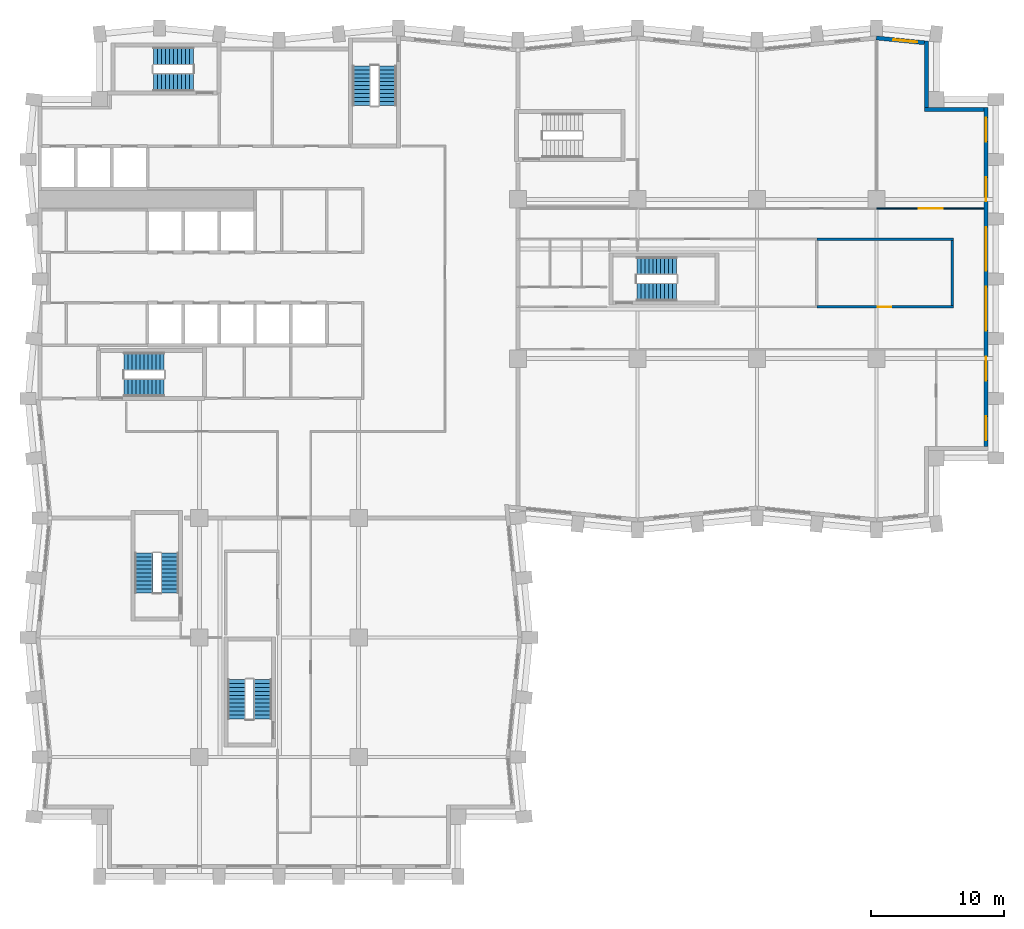
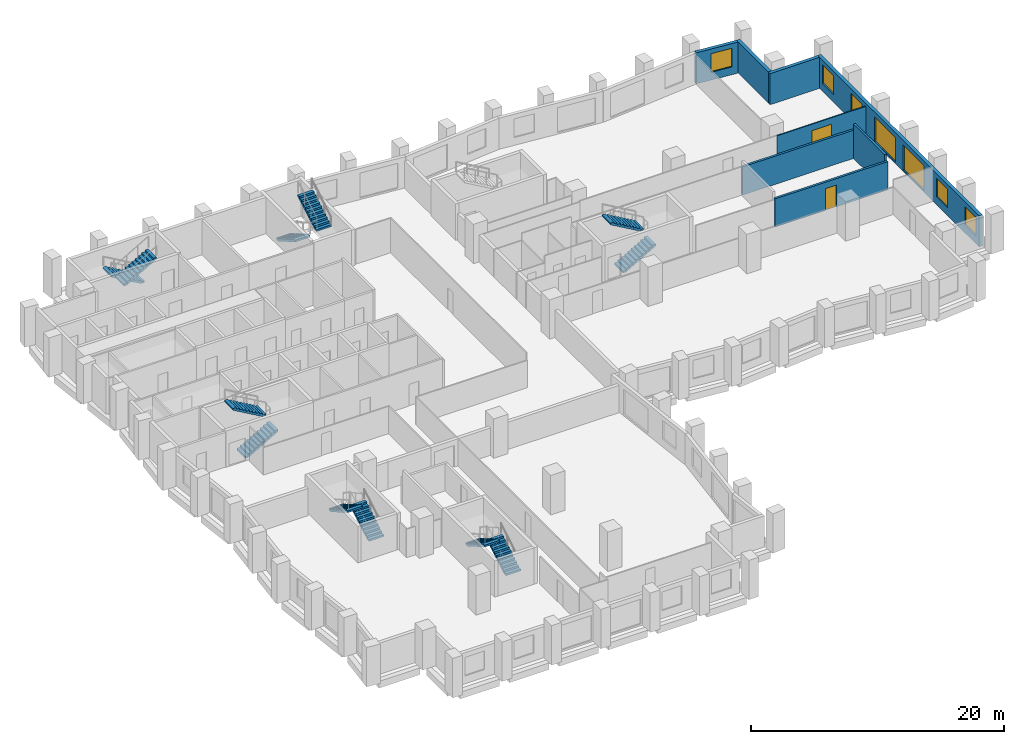
# One storey, part 8 of 11: 12 stair flights, 8 walls, 7 windows, 2 doors, 9 openings, 6 elements without a shape of their own.
"""IFC4 building model written with IfcOpenShell, lengths in metres."""

from ifc_helpers import new_model, si_unit, direction, frame, frame_2d, origin, place, context, subcontext, project, spatial, polyline, rectangle, outline, extrude, material, layer, layer_set, type_object, element, fill, aggregate, save


model = new_model("IFC4")

# Units and contexts
model_context = context("Model", 3, precision=1e-05, world=origin(), true_north=direction((0.0, 1.0)))
body_context = subcontext(model_context, "Body", "Model", "MODEL_VIEW")
ifc_project = project(units=[si_unit("LENGTHUNIT", "METRE"), si_unit("AREAUNIT", "SQUARE_METRE"), si_unit("VOLUMEUNIT", "CUBIC_METRE"), si_unit("PLANEANGLEUNIT", "RADIAN"), si_unit("MASSUNIT", "GRAM", prefix="KILO")], contexts=[model_context])

# Site, building, storey
site_placement = place(None, origin())
site = spatial("IfcSite", under=ifc_project, at=site_placement, CompositionType="ELEMENT")
building_placement = place(site_placement, origin())
building = spatial("IfcBuilding", under=site, at=building_placement, Name="Brondeck Convention Tower", CompositionType="ELEMENT")
storey_placement = place(building_placement, frame((0.0, 0.0, 134.10009765625)))
storey = spatial("IfcBuildingStorey", under=building, at=storey_placement, Name="L32", CompositionType="ELEMENT", Elevation=134.10009765625)

# Wall, openings, windows
ifc_material_1 = material(Name="Precast concrete C50/60 bronze finish", Category="concrete")
ifc_layer_1 = layer(ifc_material_1, 0.070068359375, Name="Bronze precast facing")
ifc_material_2 = material(Name="Mineral wool")
ifc_layer_2 = layer(ifc_material_2, 0.159912109375, Name="Insulation")
ifc_material_3 = material(Name="Concrete C35/45", Category="concrete")
ifc_layer_3 = layer(ifc_material_3, 0.070068359375, Name="Backing")
ifc_layer_set_1 = layer_set([ifc_layer_1, ifc_layer_2, ifc_layer_3], Name="External infill wall, precast concrete C50/60 bronze facing")
wall_type_1 = type_object("IfcWallType", Name="External infill wall, precast concrete C50/60 bronze facing", PredefinedType="SOLIDWALL", material=ifc_layer_set_1)
wall_1_placement = place(storey_placement, frame((71.25, 57.89990234375, 0.0), z_axis=(0.0, 0.0, 1.0), x_axis=(0.0, -1.0, 0.0)))
wall_1 = element("IfcWall", 1, at=wall_1_placement, inside=storey, type_object=wall_type_1, Name="ENV-EW-L32-P0-A-E72-01", PredefinedType="SOLIDWALL", context=body_context, shape_type="SweptSolid", body=[
    extrude(rectangle(XDim=25.501953125, YDim=0.300048828125, at=frame_2d((12.7509765625, 0.0))), origin(), (0.0, 0.0, 1.0), 3.0),
])
opening_1_placement = place(wall_1_placement, frame((0.75, 0.0, 0.75)))
opening_1 = element("IfcOpeningElement", 2, at=opening_1_placement, cuts=wall_1, Name="Opening W10", PredefinedType="OPENING", context=body_context, shape_type="SweptSolid", body=[
    extrude(rectangle(XDim=1.800048828125, YDim=1.800048828125, at=frame_2d((0.89990234375, 0.89990234375))), frame((0.0, 0.159912109375, 0.0), z_axis=(0.0, -1.0, 0.0), x_axis=(1.0, 0.0, 0.0)), (0.0, 0.0, 1.0), 0.320068359375),
])
opening_2_placement = place(wall_1_placement, frame((5.25, 0.0, 0.75)))
opening_2 = element("IfcOpeningElement", 3, at=opening_2_placement, cuts=wall_1, Name="Opening W10", PredefinedType="OPENING", context=body_context, shape_type="SweptSolid", body=[
    extrude(rectangle(XDim=1.800048828125, YDim=1.800048828125, at=frame_2d((0.89990234375, 0.89990234375))), frame((0.0, 0.159912109375, 0.0), z_axis=(0.0, -1.0, 0.0), x_axis=(1.0, 0.0, 0.0)), (0.0, 0.0, 1.0), 0.320068359375),
])
opening_3_placement = place(wall_1_placement, frame((9.0, 0.0, 0.14990234375)))
opening_3 = element("IfcOpeningElement", 4, at=opening_3_placement, cuts=wall_1, Name="Opening W9", PredefinedType="OPENING", context=body_context, shape_type="SweptSolid", body=[
    extrude(rectangle(XDim=3.300048828125, YDim=2.39990234375, at=frame_2d((1.64990234375, 1.199951171875))), frame((0.0, 0.159912109375, 0.0), z_axis=(0.0, -1.0, 0.0), x_axis=(1.0, 0.0, 0.0)), (0.0, 0.0, 1.0), 0.320068359375),
])
opening_4_placement = place(wall_1_placement, frame((13.5, 0.0, 0.14990234375)))
opening_4 = element("IfcOpeningElement", 5, at=opening_4_placement, cuts=wall_1, Name="Opening W9", PredefinedType="OPENING", context=body_context, shape_type="SweptSolid", body=[
    extrude(rectangle(XDim=3.300048828125, YDim=2.39990234375, at=frame_2d((1.64990234375, 1.199951171875))), frame((0.0, 0.159912109375, 0.0), z_axis=(0.0, -1.0, 0.0), x_axis=(1.0, 0.0, 0.0)), (0.0, 0.0, 1.0), 0.320068359375),
])
opening_5_placement = place(wall_1_placement, frame((18.75, 0.0, 0.75)))
opening_5 = element("IfcOpeningElement", 6, at=opening_5_placement, cuts=wall_1, Name="Opening W10", PredefinedType="OPENING", context=body_context, shape_type="SweptSolid", body=[
    extrude(rectangle(XDim=1.800048828125, YDim=1.800048828125, at=frame_2d((0.89990234375, 0.89990234375))), frame((0.0, 0.159912109375, 0.0), z_axis=(0.0, -1.0, 0.0), x_axis=(1.0, 0.0, 0.0)), (0.0, 0.0, 1.0), 0.320068359375),
])
opening_6_placement = place(wall_1_placement, frame((23.25, 0.0, 0.75)))
opening_6 = element("IfcOpeningElement", 7, at=opening_6_placement, cuts=wall_1, Name="Opening W10", PredefinedType="OPENING", context=body_context, shape_type="SweptSolid", body=[
    extrude(rectangle(XDim=1.800048828125, YDim=1.800048828125, at=frame_2d((0.89990234375, 0.89990234375))), frame((0.0, 0.159912109375, 0.0), z_axis=(0.0, -1.0, 0.0), x_axis=(1.0, 0.0, 0.0)), (0.0, 0.0, 1.0), 0.320068359375),
])
ifc_material_4 = material(Name="Bronze tinted double glazing", Category="glass")
window_type_1 = type_object("IfcWindowType", Name="Glazed flute window, bronze tinted", PartitioningType="SINGLE_PANEL", PredefinedType="WINDOW", material=ifc_material_4)
window_1_placement = place(opening_3_placement, origin())
window_1 = element("IfcWindow", 8, at=window_1_placement, inside=storey, type_object=window_type_1, Name="ENV-WN-L32-P0-A-E72-04", OverallHeight=2.39990234375, OverallWidth=3.300048828125, PartitioningType="SINGLE_PANEL", PredefinedType="WINDOW", context=body_context, shape_type="SweptSolid", body=[
    extrude(rectangle(XDim=3.300048828125, YDim=2.39990234375, at=frame_2d((1.64990234375, 1.199951171875))), frame((0.0, 0.030029296875, 0.0), z_axis=(0.0, -1.0, 0.0), x_axis=(1.0, 0.0, 0.0)), (0.0, 0.0, 1.0), 0.06005859375),
])
fill(opening_3, window_1)
window_2_placement = place(opening_4_placement, origin())
window_2 = element("IfcWindow", 9, at=window_2_placement, inside=storey, type_object=window_type_1, Name="ENV-WN-L32-P0-A-E72-03", OverallHeight=2.39990234375, OverallWidth=3.300048828125, PartitioningType="SINGLE_PANEL", PredefinedType="WINDOW", context=body_context, shape_type="SweptSolid", body=[
    extrude(rectangle(XDim=3.300048828125, YDim=2.39990234375, at=frame_2d((1.64990234375, 1.199951171875))), frame((0.0, 0.030029296875, 0.0), z_axis=(0.0, -1.0, 0.0), x_axis=(1.0, 0.0, 0.0)), (0.0, 0.0, 1.0), 0.06005859375),
])
fill(opening_4, window_2)
window_type_2 = type_object("IfcWindowType", Name="Punched window, bronze tinted", PartitioningType="SINGLE_PANEL", PredefinedType="WINDOW", material=ifc_material_4)
window_3_placement = place(opening_1_placement, origin())
window_3 = element("IfcWindow", 10, at=window_3_placement, inside=storey, type_object=window_type_2, Name="ENV-WN-L32-P0-A-E72-06", OverallHeight=1.800048828125, OverallWidth=1.800048828125, PartitioningType="SINGLE_PANEL", PredefinedType="WINDOW", context=body_context, shape_type="SweptSolid", body=[
    extrude(rectangle(XDim=1.800048828125, YDim=1.800048828125, at=frame_2d((0.89990234375, 0.89990234375))), frame((0.0, 0.030029296875, 0.0), z_axis=(0.0, -1.0, 0.0), x_axis=(1.0, 0.0, 0.0)), (0.0, 0.0, 1.0), 0.06005859375),
])
fill(opening_1, window_3)
window_4_placement = place(opening_2_placement, origin())
window_4 = element("IfcWindow", 11, at=window_4_placement, inside=storey, type_object=window_type_2, Name="ENV-WN-L32-P0-A-E72-05", OverallHeight=1.800048828125, OverallWidth=1.800048828125, PartitioningType="SINGLE_PANEL", PredefinedType="WINDOW", context=body_context, shape_type="SweptSolid", body=[
    extrude(rectangle(XDim=1.800048828125, YDim=1.800048828125, at=frame_2d((0.89990234375, 0.89990234375))), frame((0.0, 0.030029296875, 0.0), z_axis=(0.0, -1.0, 0.0), x_axis=(1.0, 0.0, 0.0)), (0.0, 0.0, 1.0), 0.06005859375),
])
fill(opening_2, window_4)
window_5_placement = place(opening_5_placement, origin())
window_5 = element("IfcWindow", 12, at=window_5_placement, inside=storey, type_object=window_type_2, Name="ENV-WN-L32-P0-A-E72-02", OverallHeight=1.800048828125, OverallWidth=1.800048828125, PartitioningType="SINGLE_PANEL", PredefinedType="WINDOW", context=body_context, shape_type="SweptSolid", body=[
    extrude(rectangle(XDim=1.800048828125, YDim=1.800048828125, at=frame_2d((0.89990234375, 0.89990234375))), frame((0.0, 0.030029296875, 0.0), z_axis=(0.0, -1.0, 0.0), x_axis=(1.0, 0.0, 0.0)), (0.0, 0.0, 1.0), 0.06005859375),
])
fill(opening_5, window_5)
window_6_placement = place(opening_6_placement, origin())
window_6 = element("IfcWindow", 13, at=window_6_placement, inside=storey, type_object=window_type_2, Name="ENV-WN-L32-P0-A-E72-01", OverallHeight=1.800048828125, OverallWidth=1.800048828125, PartitioningType="SINGLE_PANEL", PredefinedType="WINDOW", context=body_context, shape_type="SweptSolid", body=[
    extrude(rectangle(XDim=1.800048828125, YDim=1.800048828125, at=frame_2d((0.89990234375, 0.89990234375))), frame((0.0, 0.030029296875, 0.0), z_axis=(0.0, -1.0, 0.0), x_axis=(1.0, 0.0, 0.0)), (0.0, 0.0, 1.0), 0.06005859375),
])
fill(opening_6, window_6)

# Walls
wall_2_placement = place(storey_placement, frame((66.60009765625, 57.75, 0.0), z_axis=(0.0, 0.0, 1.0), x_axis=(1.0, 0.0, 0.0)))
element("IfcWall", 14, at=wall_2_placement, inside=storey, type_object=wall_type_1, Name="ENV-EW-L32-P0-NC-NEA72-01", PredefinedType="SOLIDWALL", context=body_context, shape_type="SweptSolid", body=[
    extrude(rectangle(XDim=4.5, YDim=0.300048828125, at=frame_2d((2.25, 0.0))), origin(), (0.0, 0.0, 1.0), 3.0),
])
wall_3_placement = place(storey_placement, frame((66.75, 62.906982421875, 0.0), z_axis=(0.0, 0.0, 1.0), x_axis=(0.0, -1.0, 0.0)))
element("IfcWall", 15, at=wall_3_placement, inside=storey, type_object=wall_type_1, Name="ENV-EW-L32-P0-NC-NEA72-02", PredefinedType="SOLIDWALL", context=body_context, shape_type="SweptSolid", body=[
    extrude(rectangle(XDim=5.009033203125, YDim=0.300048828125, at=frame_2d((2.50439453125, 0.0))), origin(), (0.0, 0.0, 1.0), 3.0),
])

# Wall, opening, window
wall_4_placement = place(storey_placement, frame((62.985107421875, 63.147705078125, 0.0), z_axis=(0.0, 0.0, 1.0), x_axis=(0.995038521274, -0.099490407478, 0.0)))
wall_4 = element("IfcWall", 16, at=wall_4_placement, inside=storey, type_object=wall_type_1, Name="ENV-EW-L32-P0-A-N-14", PredefinedType="SOLIDWALL", context=body_context, shape_type="SweptSolid", body=[
    extrude(rectangle(XDim=3.6318359375, YDim=0.300048828125, at=frame_2d((1.81591796875, 0.0))), origin(), (0.0, 0.0, 1.0), 3.0),
])
opening_7_placement = place(wall_4_placement, frame((1.30126953125, 0.0, 0.75)))
opening_7 = element("IfcOpeningElement", 17, at=opening_7_placement, cuts=wall_4, Name="Opening W10", PredefinedType="OPENING", context=body_context, shape_type="SweptSolid", body=[
    extrude(rectangle(XDim=1.800048828125, YDim=1.800048828125, at=frame_2d((0.89990234375, 0.89990234375))), frame((0.0, 0.159912109375, 0.0), z_axis=(0.0, -1.0, 0.0), x_axis=(1.0, 0.0, 0.0)), (0.0, 0.0, 1.0), 0.320068359375),
])
window_7_placement = place(opening_7_placement, origin())
window_7 = element("IfcWindow", 18, at=window_7_placement, inside=storey, type_object=window_type_2, Name="ENV-WN-L32-P0-A-N-14", OverallHeight=1.800048828125, OverallWidth=1.800048828125, PartitioningType="SINGLE_PANEL", PredefinedType="WINDOW", context=body_context, shape_type="SweptSolid", body=[
    extrude(rectangle(XDim=1.800048828125, YDim=1.800048828125, at=frame_2d((0.89990234375, 0.89990234375))), frame((0.0, 0.030029296875, 0.0), z_axis=(0.0, -1.0, 0.0), x_axis=(1.0, 0.0, 0.0)), (0.0, 0.0, 1.0), 0.06005859375),
])
fill(opening_7, window_7)

# Wall, opening, door
ifc_material_5 = material(Name="Concrete block wall C16/20", Category="concrete")
ifc_layer_4 = layer(ifc_material_5, 0.199951171875)
ifc_layer_set_2 = layer_set([ifc_layer_4], Name="Plant room wall 200")
wall_type_2 = type_object("IfcWallType", Name="Plant room wall 200", PredefinedType="PARTITIONING", material=ifc_layer_set_2)
wall_5_placement = place(storey_placement, frame((58.5, 42.89990234375, 0.0), z_axis=(0.0, 0.0, 1.0), x_axis=(1.0, 0.0, 0.0)))
wall_5 = element("IfcWall", 19, at=wall_5_placement, inside=storey, type_object=wall_type_2, Name="FLR-L32-W032", PredefinedType="PARTITIONING", context=body_context, shape_type="SweptSolid", body=[
    extrude(rectangle(XDim=10.300048828125, YDim=0.199951171875, at=frame_2d((5.14990234375, 0.0))), origin(), (0.0, 0.0, 1.0), 2.72998046875),
])
opening_8_placement = place(wall_5_placement, frame((4.60009765625, 0.0, 0.0)))
opening_8 = element("IfcOpeningElement", 20, at=opening_8_placement, cuts=wall_5, Name="Opening OF-E-008", PredefinedType="OPENING", context=body_context, shape_type="SweptSolid", body=[
    extrude(rectangle(XDim=1.0, YDim=2.10009765625, at=frame_2d((0.5, 1.050048828125))), frame((0.0, 0.10986328125, 0.0), z_axis=(0.0, -1.0, 0.0), x_axis=(1.0, 0.0, 0.0)), (0.0, 0.0, 1.0), 0.219970703125),
])
ifc_material_6 = material(Name="Steel fire door leaf", Category="steel")
door_type_1 = type_object("IfcDoorType", Name="Plant room door 1000", OperationType="NOTDEFINED", PredefinedType="DOOR", material=ifc_material_6)
door_1_placement = place(opening_8_placement, origin())
door_1 = element("IfcDoor", 21, at=door_1_placement, inside=storey, type_object=door_type_1, Name="Door OF-E-008", OperationType="SINGLE_SWING_RIGHT", OverallHeight=2.10009765625, OverallWidth=1.0, PredefinedType="DOOR", context=body_context, shape_type="SweptSolid", body=[
    extrude(rectangle(XDim=1.0, YDim=2.10009765625, at=frame_2d((0.5, 1.050048828125))), frame((0.0, 0.02490234375, 0.0), z_axis=(0.0, -1.0, 0.0), x_axis=(1.0, 0.0, 0.0)), (0.0, 0.0, 1.0), 0.050048828125),
])
fill(opening_8, door_1)

# Walls
wall_6_placement = place(storey_placement, frame((68.699951171875, 43.0, 0.0), z_axis=(0.0, 0.0, 1.0), x_axis=(0.0, 1.0, 0.0)))
element("IfcWall", 22, at=wall_6_placement, inside=storey, type_object=wall_type_2, Name="FLR-L32-W034", PredefinedType="PARTITIONING", context=body_context, shape_type="SweptSolid", body=[
    extrude(rectangle(XDim=4.89990234375, YDim=0.199951171875, at=frame_2d((2.449951171875, 0.0))), origin(), (0.0, 0.0, 1.0), 3.329833984375),
])
wall_7_placement = place(storey_placement, frame((68.800048828125, 48.0, 0.0), z_axis=(0.0, 0.0, 1.0), x_axis=(-1.0, 0.0, 0.0)))
element("IfcWall", 23, at=wall_7_placement, inside=storey, type_object=wall_type_2, Name="FLR-L32-W049", PredefinedType="PARTITIONING", context=body_context, shape_type="SweptSolid", body=[
    extrude(rectangle(XDim=10.300048828125, YDim=0.199951171875, at=frame_2d((5.14990234375, 0.0))), origin(), (0.0, 0.0, 1.0), 2.72998046875),
])

# Wall, opening, door
ifc_material_7 = material(Name="Gypsum board partition on steel studs", Category="steel")
ifc_layer_5 = layer(ifc_material_7, 0.10009765625)
ifc_layer_set_3 = layer_set([ifc_layer_5], Name="Room partition 100")
wall_type_3 = type_object("IfcWallType", Name="Room partition 100", PredefinedType="PARTITIONING", material=ifc_layer_set_3)
wall_8_placement = place(storey_placement, frame((63.0, 50.300048828125, 0.0), z_axis=(0.0, 0.0, 1.0), x_axis=(1.0, 0.0, 0.0)))
wall_8 = element("IfcWall", 24, at=wall_8_placement, inside=storey, type_object=wall_type_3, Name="FLR-L32-W053", PredefinedType="PARTITIONING", context=body_context, shape_type="SweptSolid", body=[
    extrude(rectangle(XDim=8.080078125, YDim=0.10009765625, at=frame_2d((4.0400390625, 0.0))), origin(), (0.0, 0.0, 1.0), 2.72998046875),
])
opening_9_placement = place(wall_8_placement, frame((3.174072265625, 0.0, 0.0)))
opening_9 = element("IfcOpeningElement", 25, at=opening_9_placement, cuts=wall_8, Name="Opening OF-E-012", PredefinedType="OPENING", context=body_context, shape_type="SweptSolid", body=[
    extrude(rectangle(XDim=1.800048828125, YDim=2.10009765625, at=frame_2d((0.89990234375, 1.050048828125))), frame((0.0, 0.06005859375, 0.0), z_axis=(0.0, -1.0, 0.0), x_axis=(1.0, 0.0, 0.0)), (0.0, 0.0, 1.0), 0.1201171875),
])
ifc_material_8 = material(Name="Glazed timber double door", Category="wood")
door_type_2 = type_object("IfcDoorType", Name="Double door 1800", OperationType="DOUBLE_DOOR_SINGLE_SWING", PredefinedType="DOOR", material=ifc_material_8)
door_2_placement = place(opening_9_placement, origin())
door_2 = element("IfcDoor", 26, at=door_2_placement, inside=storey, type_object=door_type_2, Name="Door OF-E-012", OperationType="DOUBLE_DOOR_SINGLE_SWING", OverallHeight=2.10009765625, OverallWidth=1.800048828125, PredefinedType="DOOR", context=body_context, shape_type="SweptSolid", body=[
    extrude(rectangle(XDim=1.800048828125, YDim=2.10009765625, at=frame_2d((0.89990234375, 1.050048828125))), frame((0.0, 0.02490234375, 0.0), z_axis=(0.0, -1.0, 0.0), x_axis=(1.0, 0.0, 0.0)), (0.0, 0.0, 1.0), 0.050048828125),
])
fill(opening_9, door_2)

# Stair, stair flights
ifc_material_9 = material(Name="Precast concrete C50/60", Category="concrete")
stair_type = type_object("IfcStairType", Name="Core stair 22 risers 172.73 mm riser 300 mm going 1350 wide", PredefinedType="HALF_TURN_STAIR", material=ifc_material_9)
stair_1_placement = place(storey_placement, origin())
stair_1 = element("IfcStair", 27, at=stair_1_placement, inside=storey, type_object=stair_type, Name="ST-1 L32 stair", PredefinedType="HALF_TURN_STAIR")
stair_flight_type = type_object("IfcStairFlightType", Name="Core stair flight 22 risers 172.73 mm riser 300 mm going 1350 wide", PredefinedType="STRAIGHT", material=ifc_material_9)
stair_flight_1_placement = place(storey_placement, frame((6.35009765625, 36.824951171875, 0.0), z_axis=(0.0, 0.0, 1.0), x_axis=(1.0, 0.0, 0.0)))
stair_flight_1 = element("IfcStairFlight", 28, at=stair_flight_1_placement, type_object=stair_flight_type, Name="ST-1 flight 1", NumberOfRisers=11, NumberOfTreads=10, PredefinedType="STRAIGHT", RiserHeight=0.172727273, TreadLength=0.3, context=body_context, shape_type="SweptSolid", body=[
    extrude(outline(polyline([(0.0, 0.0), (0.0, 0.172607421875), (0.300048828125, 0.172607421875), (0.300048828125, 0.345458984375), (0.60009765625, 0.345458984375), (0.60009765625, 0.51806640625), (0.89990234375, 0.51806640625), (0.89990234375, 0.69091796875), (1.199951171875, 0.69091796875), (1.199951171875, 0.863525390625), (1.5, 0.863525390625), (1.5, 1.036376953125), (1.800048828125, 1.036376953125), (1.800048828125, 1.208984375), (2.10009765625, 1.208984375), (2.10009765625, 1.3818359375), (2.39990234375, 1.3818359375), (2.39990234375, 1.554443359375), (2.699951171875, 1.554443359375), (2.699951171875, 1.727294921875), (3.0, 1.727294921875), (3.0, 1.89990234375), (3.0, 1.55419921875), (0.300537109375, 0.0), (0.0, 0.0)])), frame((0.0, 0.675048828125, 0.0), z_axis=(0.0, -1.0, 0.0), x_axis=(1.0, 0.0, 0.0)), (0.0, 0.0, 1.0), 1.35009765625),
])
stair_flight_2_placement = place(storey_placement, frame((9.35009765625, 38.77490234375, 1.89990234375), z_axis=(0.0, 0.0, 1.0), x_axis=(-1.0, 0.0, 0.0)))
stair_flight_2 = element("IfcStairFlight", 29, at=stair_flight_2_placement, type_object=stair_flight_type, Name="ST-1 flight 2", NumberOfRisers=11, NumberOfTreads=10, PredefinedType="STRAIGHT", RiserHeight=0.172727273, TreadLength=0.3, context=body_context, shape_type="SweptSolid", body=[
    extrude(outline(polyline([(0.0, 0.0), (0.0, 0.172607421875), (0.300048828125, 0.172607421875), (0.300048828125, 0.345458984375), (0.60009765625, 0.345458984375), (0.60009765625, 0.51806640625), (0.89990234375, 0.51806640625), (0.89990234375, 0.69091796875), (1.199951171875, 0.69091796875), (1.199951171875, 0.863525390625), (1.5, 0.863525390625), (1.5, 1.036376953125), (1.800048828125, 1.036376953125), (1.800048828125, 1.208984375), (2.10009765625, 1.208984375), (2.10009765625, 1.3818359375), (2.39990234375, 1.3818359375), (2.39990234375, 1.554443359375), (2.699951171875, 1.554443359375), (2.699951171875, 1.727294921875), (3.0, 1.727294921875), (3.0, 1.89990234375), (3.0, 1.55419921875), (0.300537109375, 0.0), (0.0, 0.0)])), frame((0.0, 0.675048828125, 0.0), z_axis=(0.0, -1.0, 0.0), x_axis=(1.0, 0.0, 0.0)), (0.0, 0.0, 1.0), 1.35009765625),
])
aggregate(stair_1, [stair_flight_1, stair_flight_2])

stair_2_placement = place(storey_placement, origin())
stair_2 = element("IfcStair", 30, at=stair_2_placement, inside=storey, type_object=stair_type, Name="ST-2 L32 stair", PredefinedType="HALF_TURN_STAIR")
stair_flight_3_placement = place(storey_placement, frame((24.22509765625, 61.050048828125, 0.0), z_axis=(0.0, 0.0, 1.0), x_axis=(0.0, -1.0, 0.0)))
stair_flight_3 = element("IfcStairFlight", 31, at=stair_flight_3_placement, type_object=stair_flight_type, Name="ST-2 flight 1", NumberOfRisers=11, NumberOfTreads=10, PredefinedType="STRAIGHT", RiserHeight=0.172727273, TreadLength=0.3, context=body_context, shape_type="SweptSolid", body=[
    extrude(outline(polyline([(0.0, 0.0), (0.0, 0.172607421875), (0.300048828125, 0.172607421875), (0.300048828125, 0.345458984375), (0.60009765625, 0.345458984375), (0.60009765625, 0.51806640625), (0.89990234375, 0.51806640625), (0.89990234375, 0.69091796875), (1.199951171875, 0.69091796875), (1.199951171875, 0.863525390625), (1.5, 0.863525390625), (1.5, 1.036376953125), (1.800048828125, 1.036376953125), (1.800048828125, 1.208984375), (2.10009765625, 1.208984375), (2.10009765625, 1.3818359375), (2.39990234375, 1.3818359375), (2.39990234375, 1.554443359375), (2.699951171875, 1.554443359375), (2.699951171875, 1.727294921875), (3.0, 1.727294921875), (3.0, 1.89990234375), (3.0, 1.55419921875), (0.300537109375, 0.0), (0.0, 0.0)])), frame((0.0, 0.675048828125, 0.0), z_axis=(0.0, -1.0, 0.0), x_axis=(1.0, 0.0, 0.0)), (0.0, 0.0, 1.0), 1.35009765625),
])
stair_flight_4_placement = place(storey_placement, frame((26.175048828125, 58.050048828125, 1.89990234375), z_axis=(0.0, 0.0, 1.0), x_axis=(0.0, 1.0, 0.0)))
stair_flight_4 = element("IfcStairFlight", 32, at=stair_flight_4_placement, type_object=stair_flight_type, Name="ST-2 flight 2", NumberOfRisers=11, NumberOfTreads=10, PredefinedType="STRAIGHT", RiserHeight=0.172727273, TreadLength=0.3, context=body_context, shape_type="SweptSolid", body=[
    extrude(outline(polyline([(0.0, 0.0), (0.0, 0.172607421875), (0.300048828125, 0.172607421875), (0.300048828125, 0.345458984375), (0.60009765625, 0.345458984375), (0.60009765625, 0.51806640625), (0.89990234375, 0.51806640625), (0.89990234375, 0.69091796875), (1.199951171875, 0.69091796875), (1.199951171875, 0.863525390625), (1.5, 0.863525390625), (1.5, 1.036376953125), (1.800048828125, 1.036376953125), (1.800048828125, 1.208984375), (2.10009765625, 1.208984375), (2.10009765625, 1.3818359375), (2.39990234375, 1.3818359375), (2.39990234375, 1.554443359375), (2.699951171875, 1.554443359375), (2.699951171875, 1.727294921875), (3.0, 1.727294921875), (3.0, 1.89990234375), (3.0, 1.55419921875), (0.300537109375, 0.0), (0.0, 0.0)])), frame((0.0, 0.675048828125, 0.0), z_axis=(0.0, -1.0, 0.0), x_axis=(1.0, 0.0, 0.0)), (0.0, 0.0, 1.0), 1.35009765625),
])
aggregate(stair_2, [stair_flight_3, stair_flight_4])

stair_3_placement = place(storey_placement, origin())
stair_3 = element("IfcStair", 33, at=stair_3_placement, inside=storey, type_object=stair_type, Name="ST-3 L32 stair", PredefinedType="HALF_TURN_STAIR")
stair_flight_5_placement = place(storey_placement, frame((11.550048828125, 61.77490234375, 0.0), z_axis=(0.0, 0.0, 1.0), x_axis=(-1.0, 0.0, 0.0)))
stair_flight_5 = element("IfcStairFlight", 34, at=stair_flight_5_placement, type_object=stair_flight_type, Name="ST-3 flight 1", NumberOfRisers=11, NumberOfTreads=10, PredefinedType="STRAIGHT", RiserHeight=0.172727273, TreadLength=0.3, context=body_context, shape_type="SweptSolid", body=[
    extrude(outline(polyline([(0.0, 0.0), (0.0, 0.172607421875), (0.300048828125, 0.172607421875), (0.300048828125, 0.345458984375), (0.60009765625, 0.345458984375), (0.60009765625, 0.51806640625), (0.89990234375, 0.51806640625), (0.89990234375, 0.69091796875), (1.199951171875, 0.69091796875), (1.199951171875, 0.863525390625), (1.5, 0.863525390625), (1.5, 1.036376953125), (1.800048828125, 1.036376953125), (1.800048828125, 1.208984375), (2.10009765625, 1.208984375), (2.10009765625, 1.3818359375), (2.39990234375, 1.3818359375), (2.39990234375, 1.554443359375), (2.699951171875, 1.554443359375), (2.699951171875, 1.727294921875), (3.0, 1.727294921875), (3.0, 1.89990234375), (3.0, 1.55419921875), (0.300537109375, 0.0), (0.0, 0.0)])), frame((0.0, 0.675048828125, 0.0), z_axis=(0.0, -1.0, 0.0), x_axis=(1.0, 0.0, 0.0)), (0.0, 0.0, 1.0), 1.35009765625),
])
stair_flight_6_placement = place(storey_placement, frame((8.550048828125, 59.824951171875, 1.89990234375), z_axis=(0.0, 0.0, 1.0), x_axis=(1.0, 0.0, 0.0)))
stair_flight_6 = element("IfcStairFlight", 35, at=stair_flight_6_placement, type_object=stair_flight_type, Name="ST-3 flight 2", NumberOfRisers=11, NumberOfTreads=10, PredefinedType="STRAIGHT", RiserHeight=0.172727273, TreadLength=0.3, context=body_context, shape_type="SweptSolid", body=[
    extrude(outline(polyline([(0.0, 0.0), (0.0, 0.172607421875), (0.300048828125, 0.172607421875), (0.300048828125, 0.345458984375), (0.60009765625, 0.345458984375), (0.60009765625, 0.51806640625), (0.89990234375, 0.51806640625), (0.89990234375, 0.69091796875), (1.199951171875, 0.69091796875), (1.199951171875, 0.863525390625), (1.5, 0.863525390625), (1.5, 1.036376953125), (1.800048828125, 1.036376953125), (1.800048828125, 1.208984375), (2.10009765625, 1.208984375), (2.10009765625, 1.3818359375), (2.39990234375, 1.3818359375), (2.39990234375, 1.554443359375), (2.699951171875, 1.554443359375), (2.699951171875, 1.727294921875), (3.0, 1.727294921875), (3.0, 1.89990234375), (3.0, 1.55419921875), (0.300537109375, 0.0), (0.0, 0.0)])), frame((0.0, 0.675048828125, 0.0), z_axis=(0.0, -1.0, 0.0), x_axis=(1.0, 0.0, 0.0)), (0.0, 0.0, 1.0), 1.35009765625),
])
aggregate(stair_3, [stair_flight_5, stair_flight_6])

stair_4_placement = place(storey_placement, origin())
stair_4 = element("IfcStair", 36, at=stair_4_placement, inside=storey, type_object=stair_type, Name="ST-BE L32 stair", PredefinedType="HALF_TURN_STAIR")
stair_flight_7_placement = place(storey_placement, frame((9.77490234375, 21.35009765625, 0.0), z_axis=(0.0, 0.0, 1.0), x_axis=(0.0, 1.0, 0.0)))
stair_flight_7 = element("IfcStairFlight", 37, at=stair_flight_7_placement, type_object=stair_flight_type, Name="ST-BE flight 1", NumberOfRisers=11, NumberOfTreads=10, PredefinedType="STRAIGHT", RiserHeight=0.172727273, TreadLength=0.3, context=body_context, shape_type="SweptSolid", body=[
    extrude(outline(polyline([(0.0, 0.0), (0.0, 0.172607421875), (0.300048828125, 0.172607421875), (0.300048828125, 0.345458984375), (0.60009765625, 0.345458984375), (0.60009765625, 0.51806640625), (0.89990234375, 0.51806640625), (0.89990234375, 0.69091796875), (1.199951171875, 0.69091796875), (1.199951171875, 0.863525390625), (1.5, 0.863525390625), (1.5, 1.036376953125), (1.800048828125, 1.036376953125), (1.800048828125, 1.208984375), (2.10009765625, 1.208984375), (2.10009765625, 1.3818359375), (2.39990234375, 1.3818359375), (2.39990234375, 1.554443359375), (2.699951171875, 1.554443359375), (2.699951171875, 1.727294921875), (3.0, 1.727294921875), (3.0, 1.89990234375), (3.0, 1.55419921875), (0.300537109375, 0.0), (0.0, 0.0)])), frame((0.0, 0.675048828125, 0.0), z_axis=(0.0, -1.0, 0.0), x_axis=(1.0, 0.0, 0.0)), (0.0, 0.0, 1.0), 1.35009765625),
])
stair_flight_8_placement = place(storey_placement, frame((7.824951171875, 24.35009765625, 1.89990234375), z_axis=(0.0, 0.0, 1.0), x_axis=(0.0, -1.0, 0.0)))
stair_flight_8 = element("IfcStairFlight", 38, at=stair_flight_8_placement, type_object=stair_flight_type, Name="ST-BE flight 2", NumberOfRisers=11, NumberOfTreads=10, PredefinedType="STRAIGHT", RiserHeight=0.172727273, TreadLength=0.3, context=body_context, shape_type="SweptSolid", body=[
    extrude(outline(polyline([(0.0, 0.0), (0.0, 0.172607421875), (0.300048828125, 0.172607421875), (0.300048828125, 0.345458984375), (0.60009765625, 0.345458984375), (0.60009765625, 0.51806640625), (0.89990234375, 0.51806640625), (0.89990234375, 0.69091796875), (1.199951171875, 0.69091796875), (1.199951171875, 0.863525390625), (1.5, 0.863525390625), (1.5, 1.036376953125), (1.800048828125, 1.036376953125), (1.800048828125, 1.208984375), (2.10009765625, 1.208984375), (2.10009765625, 1.3818359375), (2.39990234375, 1.3818359375), (2.39990234375, 1.554443359375), (2.699951171875, 1.554443359375), (2.699951171875, 1.727294921875), (3.0, 1.727294921875), (3.0, 1.89990234375), (3.0, 1.55419921875), (0.300537109375, 0.0), (0.0, 0.0)])), frame((0.0, 0.675048828125, 0.0), z_axis=(0.0, -1.0, 0.0), x_axis=(1.0, 0.0, 0.0)), (0.0, 0.0, 1.0), 1.35009765625),
])
aggregate(stair_4, [stair_flight_7, stair_flight_8])

stair_5_placement = place(storey_placement, origin())
stair_5 = element("IfcStair", 39, at=stair_5_placement, inside=storey, type_object=stair_type, Name="ST-AF L32 stair", PredefinedType="HALF_TURN_STAIR")
stair_flight_9_placement = place(storey_placement, frame((44.949951171875, 44.02490234375, 0.0), z_axis=(0.0, 0.0, 1.0), x_axis=(1.0, 0.0, 0.0)))
stair_flight_9 = element("IfcStairFlight", 40, at=stair_flight_9_placement, type_object=stair_flight_type, Name="ST-AF flight 1", NumberOfRisers=11, NumberOfTreads=10, PredefinedType="STRAIGHT", RiserHeight=0.172727273, TreadLength=0.3, context=body_context, shape_type="SweptSolid", body=[
    extrude(outline(polyline([(0.0, 0.0), (0.0, 0.172607421875), (0.300048828125, 0.172607421875), (0.300048828125, 0.345458984375), (0.60009765625, 0.345458984375), (0.60009765625, 0.51806640625), (0.89990234375, 0.51806640625), (0.89990234375, 0.69091796875), (1.199951171875, 0.69091796875), (1.199951171875, 0.863525390625), (1.5, 0.863525390625), (1.5, 1.036376953125), (1.800048828125, 1.036376953125), (1.800048828125, 1.208984375), (2.10009765625, 1.208984375), (2.10009765625, 1.3818359375), (2.39990234375, 1.3818359375), (2.39990234375, 1.554443359375), (2.699951171875, 1.554443359375), (2.699951171875, 1.727294921875), (3.0, 1.727294921875), (3.0, 1.89990234375), (3.0, 1.55419921875), (0.300537109375, 0.0), (0.0, 0.0)])), frame((0.0, 0.675048828125, 0.0), z_axis=(0.0, -1.0, 0.0), x_axis=(1.0, 0.0, 0.0)), (0.0, 0.0, 1.0), 1.35009765625),
])
stair_flight_10_placement = place(storey_placement, frame((47.949951171875, 45.97509765625, 1.89990234375), z_axis=(0.0, 0.0, 1.0), x_axis=(-1.0, 0.0, 0.0)))
stair_flight_10 = element("IfcStairFlight", 41, at=stair_flight_10_placement, type_object=stair_flight_type, Name="ST-AF flight 2", NumberOfRisers=11, NumberOfTreads=10, PredefinedType="STRAIGHT", RiserHeight=0.172727273, TreadLength=0.3, context=body_context, shape_type="SweptSolid", body=[
    extrude(outline(polyline([(0.0, 0.0), (0.0, 0.172607421875), (0.300048828125, 0.172607421875), (0.300048828125, 0.345458984375), (0.60009765625, 0.345458984375), (0.60009765625, 0.51806640625), (0.89990234375, 0.51806640625), (0.89990234375, 0.69091796875), (1.199951171875, 0.69091796875), (1.199951171875, 0.863525390625), (1.5, 0.863525390625), (1.5, 1.036376953125), (1.800048828125, 1.036376953125), (1.800048828125, 1.208984375), (2.10009765625, 1.208984375), (2.10009765625, 1.3818359375), (2.39990234375, 1.3818359375), (2.39990234375, 1.554443359375), (2.699951171875, 1.554443359375), (2.699951171875, 1.727294921875), (3.0, 1.727294921875), (3.0, 1.89990234375), (3.0, 1.55419921875), (0.300537109375, 0.0), (0.0, 0.0)])), frame((0.0, 0.675048828125, 0.0), z_axis=(0.0, -1.0, 0.0), x_axis=(1.0, 0.0, 0.0)), (0.0, 0.0, 1.0), 1.35009765625),
])
aggregate(stair_5, [stair_flight_9, stair_flight_10])

stair_6_placement = place(storey_placement, origin())
stair_6 = element("IfcStair", 42, at=stair_6_placement, inside=storey, type_object=stair_type, Name="ST-BF L32 stair", PredefinedType="HALF_TURN_STAIR")
stair_flight_11_placement = place(storey_placement, frame((16.77490234375, 11.85009765625, 0.0), z_axis=(0.0, 0.0, 1.0), x_axis=(0.0, 1.0, 0.0)))
stair_flight_11 = element("IfcStairFlight", 43, at=stair_flight_11_placement, type_object=stair_flight_type, Name="ST-BF flight 1", NumberOfRisers=11, NumberOfTreads=10, PredefinedType="STRAIGHT", RiserHeight=0.172727273, TreadLength=0.3, context=body_context, shape_type="SweptSolid", body=[
    extrude(outline(polyline([(0.0, 0.0), (0.0, 0.172607421875), (0.300048828125, 0.172607421875), (0.300048828125, 0.345458984375), (0.60009765625, 0.345458984375), (0.60009765625, 0.51806640625), (0.89990234375, 0.51806640625), (0.89990234375, 0.69091796875), (1.199951171875, 0.69091796875), (1.199951171875, 0.863525390625), (1.5, 0.863525390625), (1.5, 1.036376953125), (1.800048828125, 1.036376953125), (1.800048828125, 1.208984375), (2.10009765625, 1.208984375), (2.10009765625, 1.3818359375), (2.39990234375, 1.3818359375), (2.39990234375, 1.554443359375), (2.699951171875, 1.554443359375), (2.699951171875, 1.727294921875), (3.0, 1.727294921875), (3.0, 1.89990234375), (3.0, 1.55419921875), (0.300537109375, 0.0), (0.0, 0.0)])), frame((0.0, 0.675048828125, 0.0), z_axis=(0.0, -1.0, 0.0), x_axis=(1.0, 0.0, 0.0)), (0.0, 0.0, 1.0), 1.35009765625),
])
stair_flight_12_placement = place(storey_placement, frame((14.824951171875, 14.85009765625, 1.89990234375), z_axis=(0.0, 0.0, 1.0), x_axis=(0.0, -1.0, 0.0)))
stair_flight_12 = element("IfcStairFlight", 44, at=stair_flight_12_placement, type_object=stair_flight_type, Name="ST-BF flight 2", NumberOfRisers=11, NumberOfTreads=10, PredefinedType="STRAIGHT", RiserHeight=0.172727273, TreadLength=0.3, context=body_context, shape_type="SweptSolid", body=[
    extrude(outline(polyline([(0.0, 0.0), (0.0, 0.172607421875), (0.300048828125, 0.172607421875), (0.300048828125, 0.345458984375), (0.60009765625, 0.345458984375), (0.60009765625, 0.51806640625), (0.89990234375, 0.51806640625), (0.89990234375, 0.69091796875), (1.199951171875, 0.69091796875), (1.199951171875, 0.863525390625), (1.5, 0.863525390625), (1.5, 1.036376953125), (1.800048828125, 1.036376953125), (1.800048828125, 1.208984375), (2.10009765625, 1.208984375), (2.10009765625, 1.3818359375), (2.39990234375, 1.3818359375), (2.39990234375, 1.554443359375), (2.699951171875, 1.554443359375), (2.699951171875, 1.727294921875), (3.0, 1.727294921875), (3.0, 1.89990234375), (3.0, 1.55419921875), (0.300537109375, 0.0), (0.0, 0.0)])), frame((0.0, 0.675048828125, 0.0), z_axis=(0.0, -1.0, 0.0), x_axis=(1.0, 0.0, 0.0)), (0.0, 0.0, 1.0), 1.35009765625),
])
aggregate(stair_6, [stair_flight_11, stair_flight_12])

save(model, "model.ifc")
